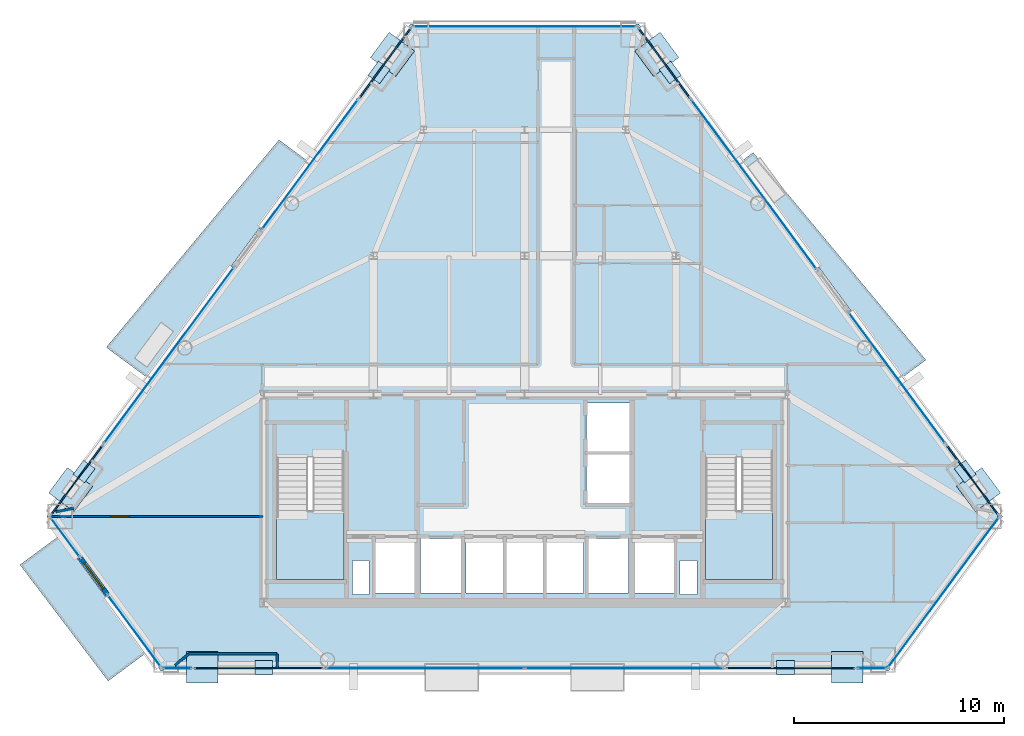
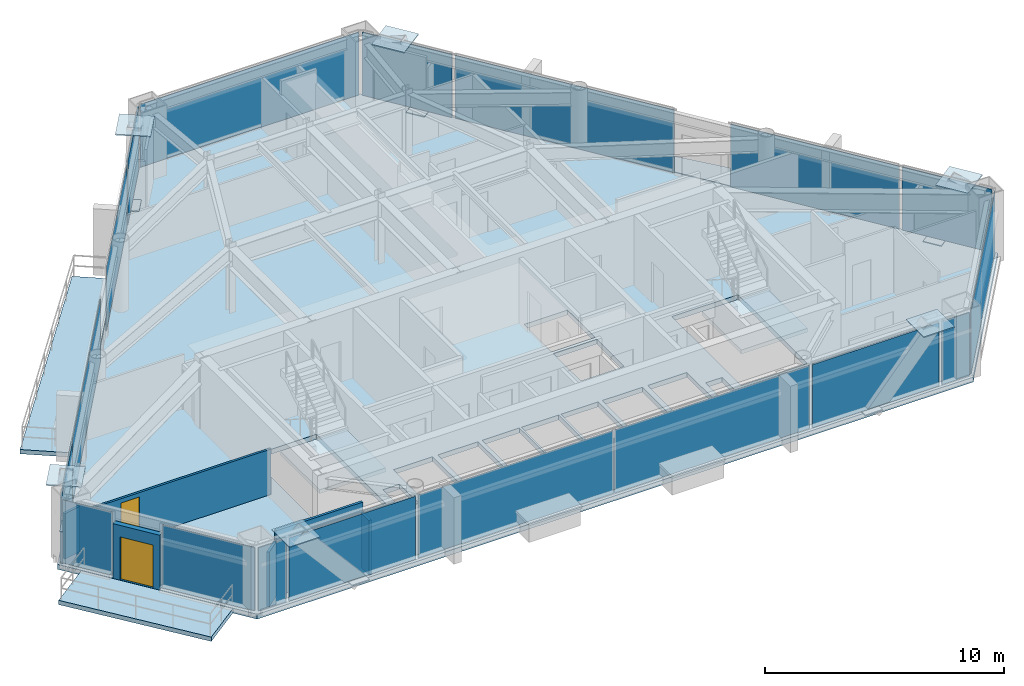
# One storey, part 6 of 11: 30 plates, 6 slabs, 6 walls, 2 doors, 2 openings, 19 elements without a shape of their own.
"""IFC4 building model written with IfcOpenShell, lengths in metres."""

from ifc_helpers import new_model, si_unit, direction, frame, frame_2d, origin, origin_2d, place, context, subcontext, project, spatial, polyline, rectangle, outline, extrude, source, transform, mapped, material, layer, layer_set, type_object, type_shapes, element, fill, aggregate, save


model = new_model("IFC4")

# Units and contexts
model_context = context("Model", 3, precision=1e-05, world=origin(), true_north=direction((0.0, 1.0)))
body_context = subcontext(model_context, "Body", "Model", "MODEL_VIEW")
ifc_project = project(units=[si_unit("LENGTHUNIT", "METRE"), si_unit("AREAUNIT", "SQUARE_METRE"), si_unit("VOLUMEUNIT", "CUBIC_METRE"), si_unit("PLANEANGLEUNIT", "RADIAN"), si_unit("MASSUNIT", "GRAM", prefix="KILO")], contexts=[model_context])

# Site, building, storey
site_placement = place(None, origin())
site = spatial("IfcSite", under=ifc_project, at=site_placement, CompositionType="ELEMENT")
building_placement = place(site_placement, origin())
building = spatial("IfcBuilding", under=site, at=building_placement, Name="Talgorran Terracotta Tower", CompositionType="ELEMENT")
storey_placement = place(building_placement, frame((0.0, 0.0, 129.300048828125)))
storey = spatial("IfcBuildingStorey", under=building, at=storey_placement, Name="L33", CompositionType="ELEMENT", Elevation=129.300048828125)

# Plates
ifc_material_1 = material(Name="Steel Grade 350 (350L0)", Category="steel")
ifc_layer_1 = layer(ifc_material_1, 0.035888671875, Name="PL_CAP_MN06")
ifc_layer_set_1 = layer_set([ifc_layer_1], Name="Steel Grade 350 (350L0)")
plate_type_1 = type_object("IfcPlateType", Name="PL_CAP_MN06", PredefinedType="USERDEFINED", material=ifc_layer_set_1)
for number, where, z_axis, x_axis, name in (
    (1, (-12.41162109375, -17.178955078125, -0.0078125), (0.0, 0.0, 1.0), (-1.0, 0.0, 0.0), "L33 Diagonal Frame End Cap SWF Bot"),
    (2, (12.41162109375, -17.178955078125, -0.0078125), (0.0, 0.0, 1.0), (1.0, 0.0, 0.0), "L33 Diagonal Frame End Cap SEF Bot"),
    (3, (20.96142578125, -7.85888671875, -0.0078125), (0.0, 0.0, 1.0), (0.594401806766, -0.804168198895, 0.0), "L33 Diagonal Frame End Cap NEL Bot"),
    (4, (6.925537109375, 11.13232421875, -0.0078125), (0.0, 0.0, 1.0), (-0.594401806766, 0.804168198895, 0.0), "L33 Diagonal Frame End Cap NEU Bot"),
    (5, (-6.925537109375, 11.13232421875, -0.0078125), (0.0, 0.0, 1.0), (0.594401806766, 0.804168198895, 0.0), "L33 Diagonal Frame End Cap NWU Bot"),
    (6, (-20.96142578125, -7.85888671875, -0.0078125), (0.0, 0.0, 1.0), (-0.594401806766, -0.804168198895, 0.0), "L33 Diagonal Frame End Cap NWL Bot"),
):
    element("IfcPlate", number, at=place(storey_placement, frame(where, z_axis=z_axis, x_axis=x_axis)), inside=storey, type_object=plate_type_1, Name=name, ObjectType="CAP PLATE", PredefinedType="USERDEFINED", context=body_context, shape_type="SweptSolid", body=[
        extrude(rectangle(XDim=0.840087890625, YDim=0.679931640625, at=origin_2d()), origin(), (0.0, 0.0, 1.0), 0.035888671875),
    ])
ifc_layer_2 = layer(ifc_material_1, 0.054931640625, Name="PL_NODE_MN02")
ifc_layer_set_2 = layer_set([ifc_layer_2], Name="Steel Grade 350 (350L0)")
plate_type_2 = type_object("IfcPlateType", Name="PL_NODE_MN02", PredefinedType="USERDEFINED", material=ifc_layer_set_2)
for number, where, z_axis, x_axis, name in (
    (7, (-15.34228515625, -17.178955078125, 3.3125), (0.0, 0.0, 1.0), (-1.0, 0.0, 0.0), "L33 Diagonal Frame End Cap SWF Top"),
    (8, (15.34228515625, -17.178955078125, 3.3125), (0.0, 0.0, 1.0), (1.0, 0.0, 0.0), "L33 Diagonal Frame End Cap SEF Top"),
    (9, (21.597900390625, -8.72021484375, 3.3125), (0.0, 0.0, 1.0), (0.594401806766, -0.804168198895, 0.0), "L33 Diagonal Frame End Cap NEL Top"),
    (10, (6.2890625, 11.993408203125, 3.3125), (0.0, 0.0, 1.0), (-0.594401806766, 0.804168198895, 0.0), "L33 Diagonal Frame End Cap NEU Top"),
    (11, (-6.2890625, 11.993408203125, 3.3125), (0.0, 0.0, 1.0), (0.594401806766, 0.804168198895, 0.0), "L33 Diagonal Frame End Cap NWU Top"),
    (12, (-21.597900390625, -8.72021484375, 3.3125), (0.0, 0.0, 1.0), (-0.594401806766, -0.804168198895, 0.0), "L33 Diagonal Frame End Cap NWL Top"),
):
    element("IfcPlate", number, at=place(storey_placement, frame(where, z_axis=z_axis, x_axis=x_axis)), inside=storey, type_object=plate_type_2, Name=name, ObjectType="NODE PLATE", PredefinedType="USERDEFINED", context=body_context, shape_type="SweptSolid", body=[
        extrude(rectangle(XDim=1.5, YDim=1.5, at=origin_2d()), origin(), (0.0, 0.0, 1.0), 0.054931640625),
    ])

# Slabs
ifc_material_2 = material(Name="Concrete C40/50", Category="concrete")
ifc_layer_3 = layer(ifc_material_2, 0.219970703125, Name="SL_BALCONY_220")
ifc_layer_set_3 = layer_set([ifc_layer_3], Name="Concrete C40/50")
slab_type_1 = type_object("IfcSlabType", Name="SL_BALCONY_220", PredefinedType="FLOOR", material=ifc_layer_set_3)
slab_1_placement = place(storey_placement, frame((0.0, 0.0, -0.219970703125)))
element("IfcSlab", 13, at=slab_1_placement, inside=storey, type_object=slab_type_1, Name="L33 Outdoor Wave Balcony BAL-NE", PredefinedType="FLOOR", context=body_context, shape_type="SweptSolid", body=[
    extrude(outline(polyline([(10.28515625, 6.881103515625), (17.905517578125, -3.4296875), (19.09130859375, -2.5537109375), (10.875244140625, 7.317138671875), (10.28515625, 6.881103515625)])), origin(), (0.0, 0.0, 1.0), 0.219970703125),
])
slab_2_placement = place(storey_placement, frame((0.0, 0.0, -0.219970703125)))
element("IfcSlab", 14, at=slab_2_placement, inside=storey, type_object=slab_type_1, Name="L33 Outdoor Wave Balcony BAL-NW", PredefinedType="FLOOR", context=body_context, shape_type="SweptSolid", body=[
    extrude(outline(polyline([(-17.905517578125, -3.4296875), (-10.28515625, 6.881103515625), (-11.689208984375, 7.918701171875), (-19.905029296875, -1.9521484375), (-17.905517578125, -3.4296875)])), origin(), (0.0, 0.0, 1.0), 0.219970703125),
])
slab_3_placement = place(storey_placement, frame((0.0, 0.0, -0.219970703125)))
element("IfcSlab", 15, at=slab_3_placement, inside=storey, type_object=slab_type_1, Name="L33 Outdoor Wave Balcony BAL-SW", PredefinedType="FLOOR", context=body_context, shape_type="SweptSolid", body=[
    extrude(outline(polyline([(-17.98193359375, -16.46728515625), (-22.10400390625, -10.889892578125), (-24.009765625, -12.298095703125), (-19.81640625, -17.822998046875), (-17.98193359375, -16.46728515625)])), origin(), (0.0, 0.0, 1.0), 0.219970703125),
])

# Stair, slab
stair_type = type_object("IfcStairType", Name="ST_FIRE_SCISSOR", PredefinedType="HALF_TURN_STAIR", material=ifc_material_2)
stair_1_placement = place(storey_placement, origin())
stair_1 = element("IfcStair", 16, at=stair_1_placement, inside=storey, type_object=stair_type, Name="L33 West Protected Fire Stair ST-01", PredefinedType="HALF_TURN_STAIR")
ifc_layer_4 = layer(ifc_material_2, 0.199951171875, Name="SL_LANDING_200")
ifc_layer_set_4 = layer_set([ifc_layer_4], Name="Concrete C40/50")
slab_type_2 = type_object("IfcSlabType", Name="SL_LANDING_200", PredefinedType="LANDING", material=ifc_layer_set_4)
slab_4_placement = place(storey_placement, frame((0.0, 0.0, 1.599853515625)))
slab_4 = element("IfcSlab", 17, at=slab_4_placement, type_object=slab_type_2, Name="ST-01 landing 1", PredefinedType="LANDING", context=body_context, shape_type="SweptSolid", body=[
    extrude(outline(polyline([(-11.800048828125, -9.719970703125), (-11.800048828125, -13.0), (-8.60009765625, -13.0), (-8.60009765625, -9.719970703125), (-11.800048828125, -9.719970703125)])), origin(), (0.0, 0.0, 1.0), 0.2001953125),
])
aggregate(stair_1, [slab_4])

stair_2_placement = place(storey_placement, origin())
stair_2 = element("IfcStair", 18, at=stair_2_placement, inside=storey, type_object=stair_type, Name="L33 East Protected Fire Stair ST-02", PredefinedType="HALF_TURN_STAIR")
slab_5_placement = place(storey_placement, frame((0.0, 0.0, 1.599853515625)))
slab_5 = element("IfcSlab", 19, at=slab_5_placement, type_object=slab_type_2, Name="ST-02 landing 1", PredefinedType="LANDING", context=body_context, shape_type="SweptSolid", body=[
    extrude(outline(polyline([(8.60009765625, -9.719970703125), (8.60009765625, -13.0), (11.800048828125, -13.0), (11.800048828125, -9.719970703125), (8.60009765625, -9.719970703125)])), origin(), (0.0, 0.0, 1.0), 0.2001953125),
])
aggregate(stair_2, [slab_5])

# Slab
ifc_layer_5 = layer(ifc_material_2, 0.25, Name="SL_TOWER_250")
ifc_layer_set_5 = layer_set([ifc_layer_5], Name="Concrete C40/50")
slab_type_3 = type_object("IfcSlabType", Name="SL_TOWER_250", PredefinedType="FLOOR", material=ifc_layer_set_5)
slab_6_placement = place(storey_placement, frame((0.0, 0.0, -0.25)))
element("IfcSlab", 20, at=slab_6_placement, inside=storey, type_object=slab_type_3, Name="Storey L33 Structural Floor Slab", PredefinedType="FLOOR", context=body_context, shape_type="SweptSolid", body=[
    extrude(outline(polyline([(-22.742919921875, -10.000244140625), (-17.319091796875, -17.3388671875), (17.319091796875, -17.3388671875), (22.742919921875, -10.000244140625), (5.423828125, 13.43359375), (-5.423828125, 13.43359375), (-22.742919921875, -10.000244140625)]), holes=[polyline([(-11.800048828125, -7.199951171875), (-11.800048828125, -13.0), (-8.60009765625, -13.0), (-8.60009765625, -7.199951171875), (-11.800048828125, -7.199951171875)]), polyline([(8.60009765625, -7.199951171875), (8.60009765625, -13.0), (11.800048828125, -13.0), (11.800048828125, -7.199951171875), (8.60009765625, -7.199951171875)]), polyline([(-7.10009765625, -13.64990234375), (-5.199951171875, -13.64990234375), (-5.199951171875, -11.050048828125), (-7.10009765625, -11.050048828125), (-7.10009765625, -13.64990234375)]), polyline([(5.199951171875, -13.64990234375), (7.10009765625, -13.64990234375), (7.10009765625, -11.050048828125), (5.199951171875, -11.050048828125), (5.199951171875, -13.64990234375)]), polyline([(3.0, -13.64990234375), (4.949951171875, -13.64990234375), (4.949951171875, -11.050048828125), (3.0, -11.050048828125), (3.0, -13.64990234375)]), polyline([(-4.949951171875, -13.64990234375), (-3.0, -13.64990234375), (-3.0, -11.050048828125), (-4.949951171875, -11.050048828125), (-4.949951171875, -13.64990234375)]), polyline([(2.949951171875, -9.35009765625), (5.050048828125, -9.35009765625), (5.050048828125, -7.050048828125), (2.949951171875, -7.050048828125), (2.949951171875, -9.35009765625)]), polyline([(2.949951171875, -6.89990234375), (5.050048828125, -6.89990234375), (5.050048828125, -4.60009765625), (2.949951171875, -4.60009765625), (2.949951171875, -6.89990234375)]), polyline([(-2.800048828125, -13.64990234375), (-1.0, -13.64990234375), (-1.0, -11.050048828125), (-2.800048828125, -11.050048828125), (-2.800048828125, -13.64990234375)]), polyline([(-0.89990234375, -13.64990234375), (0.89990234375, -13.64990234375), (0.89990234375, -11.050048828125), (-0.89990234375, -11.050048828125), (-0.89990234375, -13.64990234375)]), polyline([(1.0, -13.64990234375), (2.800048828125, -13.64990234375), (2.800048828125, -11.050048828125), (1.0, -11.050048828125), (1.0, -13.64990234375)]), polyline([(-8.199951171875, -13.699951171875), (-7.39990234375, -13.699951171875), (-7.39990234375, -12.10009765625), (-8.199951171875, -12.10009765625), (-8.199951171875, -13.699951171875)]), polyline([(7.39990234375, -13.699951171875), (8.199951171875, -13.699951171875), (8.199951171875, -12.10009765625), (7.39990234375, -12.10009765625), (7.39990234375, -13.699951171875)])]), origin(), (0.0, 0.0, 1.0), 0.25),
])

# Curtain wall, plate
ifc_material_3 = material(Name="Unitised Low-E Double Glazing", Category="glass")
ifc_layer_6 = layer(ifc_material_3, 0.199951171875, Name="CW_SYS2_RES_LOW")
ifc_layer_set_6 = layer_set([ifc_layer_6], Name="Unitised Low-E Double Glazing")
curtain_wall_type = type_object("IfcCurtainWallType", Name="CW_SYS2_RES_LOW", PredefinedType="NOTDEFINED", material=ifc_layer_set_6)
curtain_wall_1_placement = place(storey_placement, origin())
curtain_wall_1 = element("IfcCurtainWall", 21, at=curtain_wall_1_placement, inside=storey, type_object=curtain_wall_type, Name="CW-L33-F10", PredefinedType="NOTDEFINED")
ifc_material_4 = material(Name="Low-E Laminated Vision Glass", Category="glass")
ifc_layer_7 = layer(ifc_material_4, 0.028076171875, Name="PLT_VISION_28")
ifc_layer_set_7 = layer_set([ifc_layer_7], Name="Low-E Laminated Vision Glass")
plate_type_3 = type_object("IfcPlateType", Name="PLT_VISION_28", PredefinedType="CURTAIN_PANEL", material=ifc_layer_set_7)
shared_shape_1 = source(origin(), body_context, "Body", "SweptSolid", [
    extrude(rectangle(XDim=2.269287109375, YDim=0.028076171875, at=origin_2d()), origin(), (0.0, 0.0, 1.0), 3.219970703125),
])
plate_1_placement = place(storey_placement, frame((-21.85693359375, -10.9970703125, 0.06494140625), z_axis=(0.0, 0.0, 1.0), x_axis=(0.594350043169, -0.804206457438, 0.0)))
plate_1 = element("IfcPlate", 22, at=plate_1_placement, type_object=plate_type_3, Name="CW-L33-10 panel 1.1", PredefinedType="CURTAIN_PANEL", context=body_context, shape_type="MappedRepresentation", body=[
    mapped(shared_shape_1, transform((0.0, 0.0, 0.0), scale=1.0)),
])
aggregate(curtain_wall_1, [plate_1])

curtain_wall_2_placement = place(storey_placement, origin())
curtain_wall_2 = element("IfcCurtainWall", 23, at=curtain_wall_2_placement, inside=storey, type_object=curtain_wall_type, Name="CW-L33-F11", PredefinedType="NOTDEFINED")
shared_shape_2 = source(origin(), body_context, "Body", "SweptSolid", [
    extrude(rectangle(XDim=4.206787109375, YDim=0.028076171875, at=origin_2d()), origin(), (0.0, 0.0, 1.0), 3.219970703125),
])
plate_2_placement = place(storey_placement, frame((-18.5712890625, -15.44287109375, 0.06494140625), z_axis=(0.0, 0.0, 1.0), x_axis=(0.594366424253, -0.804194350714, 0.0)))
plate_2 = element("IfcPlate", 24, at=plate_2_placement, type_object=plate_type_3, Name="CW-L33-11 panel 1.1", PredefinedType="CURTAIN_PANEL", context=body_context, shape_type="MappedRepresentation", body=[
    mapped(shared_shape_2, transform((0.0, 0.0, 0.0), scale=1.0)),
])
aggregate(curtain_wall_2, [plate_2])

curtain_wall_3_placement = place(storey_placement, origin())
curtain_wall_3 = element("IfcCurtainWall", 25, at=curtain_wall_3_placement, inside=storey, type_object=curtain_wall_type, Name="CW-L33-F1", PredefinedType="NOTDEFINED")
shared_shape_3 = source(origin(), body_context, "Body", "SweptSolid", [
    extrude(rectangle(XDim=1.3359375, YDim=0.028076171875, at=origin_2d()), origin(), (0.0, 0.0, 1.0), 3.219970703125),
])
plate_3_placement = place(storey_placement, frame((-16.525634765625, -17.218994140625, 0.06494140625), z_axis=(0.0, 0.0, 1.0), x_axis=(1.0, 0.0, 0.0)))
plate_3 = element("IfcPlate", 26, at=plate_3_placement, type_object=plate_type_3, Name="CW-L33-1 panel 1.1", PredefinedType="CURTAIN_PANEL", context=body_context, shape_type="MappedRepresentation", body=[
    mapped(shared_shape_3, transform((0.0, 0.0, 0.0), scale=1.0)),
])
aggregate(curtain_wall_3, [plate_3])

curtain_wall_4_placement = place(storey_placement, origin())
curtain_wall_4 = element("IfcCurtainWall", 27, at=curtain_wall_4_placement, inside=storey, type_object=curtain_wall_type, Name="CW-L33-F1E", PredefinedType="NOTDEFINED")
plate_4_placement = place(storey_placement, frame((16.525634765625, -17.218994140625, 0.06494140625), z_axis=(0.0, 0.0, 1.0), x_axis=(1.0, 0.0, 0.0)))
plate_4 = element("IfcPlate", 28, at=plate_4_placement, type_object=plate_type_3, Name="CW-L33-1E panel 1.1", PredefinedType="CURTAIN_PANEL", context=body_context, shape_type="MappedRepresentation", body=[
    mapped(shared_shape_3, transform((0.0, 0.0, 0.0), scale=1.0)),
])
aggregate(curtain_wall_4, [plate_4])

curtain_wall_5_placement = place(storey_placement, origin())
curtain_wall_5 = element("IfcCurtainWall", 29, at=curtain_wall_5_placement, inside=storey, type_object=curtain_wall_type, Name="CW-L33-F1B", PredefinedType="NOTDEFINED")
ifc_material_5 = material(Name="Terracotta Insulated Spandrel", Category="masonry")
ifc_layer_8 = layer(ifc_material_5, 0.06494140625, Name="PLT_SPANDREL_TERRA")
ifc_layer_set_8 = layer_set([ifc_layer_8], Name="Terracotta Insulated Spandrel")
plate_type_4 = type_object("IfcPlateType", Name="PLT_SPANDREL_TERRA", PredefinedType="SHEET", material=ifc_layer_set_8)
shared_shape_4 = source(origin(), body_context, "Body", "SweptSolid", [
    extrude(rectangle(XDim=6.1171875, YDim=0.06494140625, at=origin_2d()), origin(), (0.0, 0.0, 1.0), 3.219970703125),
])
plate_5_placement = place(storey_placement, frame((-12.658935546875, -17.218994140625, 0.06494140625), z_axis=(0.0, 0.0, 1.0), x_axis=(1.0, 0.0, 0.0)))
plate_5 = element("IfcPlate", 30, at=plate_5_placement, type_object=plate_type_4, Name="CW-L33-1B panel 1.1", PredefinedType="CURTAIN_PANEL", context=body_context, shape_type="MappedRepresentation", body=[
    mapped(shared_shape_4, transform((0.0, 0.0, 0.0), scale=1.0)),
])
aggregate(curtain_wall_5, [plate_5])

curtain_wall_6_placement = place(storey_placement, origin())
curtain_wall_6 = element("IfcCurtainWall", 31, at=curtain_wall_6_placement, inside=storey, type_object=curtain_wall_type, Name="CW-L33-F1D", PredefinedType="NOTDEFINED")
plate_6_placement = place(storey_placement, frame((12.658935546875, -17.218994140625, 0.06494140625), z_axis=(0.0, 0.0, 1.0), x_axis=(1.0, 0.0, 0.0)))
plate_6 = element("IfcPlate", 32, at=plate_6_placement, type_object=plate_type_4, Name="CW-L33-1D panel 1.1", PredefinedType="CURTAIN_PANEL", context=body_context, shape_type="MappedRepresentation", body=[
    mapped(shared_shape_4, transform((0.0, 0.0, 0.0), scale=1.0)),
])
aggregate(curtain_wall_6, [plate_6])

# Curtain wall, plates
curtain_wall_7_placement = place(storey_placement, origin())
curtain_wall_7 = element("IfcCurtainWall", 33, at=curtain_wall_7_placement, inside=storey, type_object=curtain_wall_type, Name="CW-L33-F1C", PredefinedType="NOTDEFINED")
shared_shape_5 = source(origin(), body_context, "Body", "SweptSolid", [
    extrude(rectangle(XDim=9.427734375, YDim=0.028076171875, at=origin_2d()), origin(), (0.0, 0.0, 1.0), 3.219970703125),
])
plate_7_placement = place(storey_placement, frame((-4.746337890625, -17.218994140625, 0.06494140625), z_axis=(0.0, 0.0, 1.0), x_axis=(1.0, 0.0, 0.0)))
plate_7 = element("IfcPlate", 34, at=plate_7_placement, type_object=plate_type_3, Name="CW-L33-1C panel 1.1", PredefinedType="CURTAIN_PANEL", context=body_context, shape_type="MappedRepresentation", body=[
    mapped(shared_shape_5, transform((0.0, 0.0, 0.0), scale=1.0)),
])
plate_8_placement = place(storey_placement, frame((4.746337890625, -17.218994140625, 0.06494140625), z_axis=(0.0, 0.0, 1.0), x_axis=(1.0, 0.0, 0.0)))
plate_8 = element("IfcPlate", 35, at=plate_8_placement, type_object=plate_type_3, Name="CW-L33-1C panel 2.1", PredefinedType="CURTAIN_PANEL", context=body_context, shape_type="MappedRepresentation", body=[
    mapped(shared_shape_5, transform((0.0, 0.0, 0.0), scale=1.0)),
])
aggregate(curtain_wall_7, [plate_7, plate_8])

# Curtain wall, plate
curtain_wall_8_placement = place(storey_placement, origin())
curtain_wall_8 = element("IfcCurtainWall", 36, at=curtain_wall_8_placement, inside=storey, type_object=curtain_wall_type, Name="CW-L33-F2", PredefinedType="NOTDEFINED")
shared_shape_6 = source(origin(), body_context, "Body", "SweptSolid", [
    extrude(rectangle(XDim=8.84619140625, YDim=0.028076171875, at=origin_2d()), origin(), (0.0, 0.0, 1.0), 3.219970703125),
])
plate_9_placement = place(storey_placement, frame((19.92626953125, -13.609619140625, 0.06494140625), z_axis=(0.0, 0.0, 1.0), x_axis=(0.594357856926, 0.80420068261, 0.0)))
plate_9 = element("IfcPlate", 37, at=plate_9_placement, type_object=plate_type_3, Name="CW-L33-2 panel 1.1", PredefinedType="CURTAIN_PANEL", context=body_context, shape_type="MappedRepresentation", body=[
    mapped(shared_shape_6, transform((0.0, 0.0, 0.0), scale=1.0)),
])
aggregate(curtain_wall_8, [plate_9])

curtain_wall_9_placement = place(storey_placement, origin())
curtain_wall_9 = element("IfcCurtainWall", 38, at=curtain_wall_9_placement, inside=storey, type_object=curtain_wall_type, Name="CW-L33-F40", PredefinedType="NOTDEFINED")
shared_shape_7 = source(origin(), body_context, "Body", "SweptSolid", [
    extrude(rectangle(XDim=4.10986328125, YDim=0.06494140625, at=origin_2d()), origin(), (0.0, 0.0, 1.0), 3.219970703125),
])
plate_10_placement = place(storey_placement, frame((21.309814453125, -8.26318359375, 0.06494140625), z_axis=(0.0, 0.0, 1.0), x_axis=(-0.594358565446, 0.804200158966, 0.0)))
plate_10 = element("IfcPlate", 39, at=plate_10_placement, type_object=plate_type_4, Name="CW-L33-40 panel 1.1", PredefinedType="CURTAIN_PANEL", context=body_context, shape_type="MappedRepresentation", body=[
    mapped(shared_shape_7, transform((0.0, 0.0, 0.0), scale=1.0)),
])
aggregate(curtain_wall_9, [plate_10])

curtain_wall_10_placement = place(storey_placement, origin())
curtain_wall_10 = element("IfcCurtainWall", 40, at=curtain_wall_10_placement, inside=storey, type_object=curtain_wall_type, Name="CW-L33-F61B", PredefinedType="NOTDEFINED")
plate_11_placement = place(storey_placement, frame((-21.309814453125, -8.26318359375, 0.06494140625), z_axis=(0.0, 0.0, 1.0), x_axis=(-0.594358565446, -0.804200158966, 0.0)))
plate_11 = element("IfcPlate", 41, at=plate_11_placement, type_object=plate_type_4, Name="CW-L33-61B panel 1.1", PredefinedType="CURTAIN_PANEL", context=body_context, shape_type="MappedRepresentation", body=[
    mapped(shared_shape_7, transform((0.0, 0.0, 0.0), scale=1.0)),
])
aggregate(curtain_wall_10, [plate_11])

curtain_wall_11_placement = place(storey_placement, origin())
curtain_wall_11 = element("IfcCurtainWall", 42, at=curtain_wall_11_placement, inside=storey, type_object=curtain_wall_type, Name="CW-L33-F40B", PredefinedType="NOTDEFINED")
shared_shape_8 = source(origin(), body_context, "Body", "SweptSolid", [
    extrude(rectangle(XDim=7.69970703125, YDim=0.028076171875, at=origin_2d()), origin(), (0.0, 0.0, 1.0), 3.219970703125),
])
plate_12_placement = place(storey_placement, frame((17.717041015625, -3.40185546875, 0.06494140625), z_axis=(0.0, 0.0, 1.0), x_axis=(-0.5943594591, 0.804199498494, 0.0)))
plate_12 = element("IfcPlate", 43, at=plate_12_placement, type_object=plate_type_3, Name="CW-L33-40B panel 1.1", PredefinedType="CURTAIN_PANEL", context=body_context, shape_type="MappedRepresentation", body=[
    mapped(shared_shape_8, transform((0.0, 0.0, 0.0), scale=1.0)),
])
aggregate(curtain_wall_11, [plate_12])

curtain_wall_12_placement = place(storey_placement, origin())
curtain_wall_12 = element("IfcCurtainWall", 44, at=curtain_wall_12_placement, inside=storey, type_object=curtain_wall_type, Name="CW-L33-F41", PredefinedType="NOTDEFINED")
shared_shape_9 = source(origin(), body_context, "Body", "SweptSolid", [
    extrude(rectangle(XDim=9.999755859375, YDim=0.028076171875, at=origin_2d()), origin(), (0.0, 0.0, 1.0), 3.219970703125),
])
plate_13_placement = place(storey_placement, frame((10.917724609375, 5.798095703125, 0.06494140625), z_axis=(0.0, 0.0, 1.0), x_axis=(-0.594355808995, 0.804202196164, 0.0)))
plate_13 = element("IfcPlate", 45, at=plate_13_placement, type_object=plate_type_3, Name="CW-L33-41 panel 1.1", PredefinedType="CURTAIN_PANEL", context=body_context, shape_type="MappedRepresentation", body=[
    mapped(shared_shape_9, transform((0.0, 0.0, 0.0), scale=1.0)),
])
aggregate(curtain_wall_12, [plate_13])

curtain_wall_13_placement = place(storey_placement, origin())
curtain_wall_13 = element("IfcCurtainWall", 46, at=curtain_wall_13_placement, inside=storey, type_object=curtain_wall_type, Name="CW-L33-F41B", PredefinedType="NOTDEFINED")
shared_shape_10 = source(origin(), body_context, "Body", "SweptSolid", [
    extrude(rectangle(XDim=4.100341796875, YDim=0.06494140625, at=origin_2d()), origin(), (0.0, 0.0, 1.0), 3.219970703125),
])
type_shapes(plate_type_4, [shared_shape_4, shared_shape_7, shared_shape_10])
plate_14_placement = place(storey_placement, frame((6.644287109375, 11.580322265625, 0.06494140625), z_axis=(0.0, 0.0, 1.0), x_axis=(-0.594345863562, 0.804209546367, 0.0)))
plate_14 = element("IfcPlate", 47, at=plate_14_placement, type_object=plate_type_4, Name="CW-L33-41B panel 1.1", PredefinedType="CURTAIN_PANEL", context=body_context, shape_type="MappedRepresentation", body=[
    mapped(shared_shape_10, transform((0.0, 0.0, 0.0), scale=1.0)),
])
aggregate(curtain_wall_13, [plate_14])

curtain_wall_14_placement = place(storey_placement, origin())
curtain_wall_14 = element("IfcCurtainWall", 48, at=curtain_wall_14_placement, inside=storey, type_object=curtain_wall_type, Name="CW-L33-F60", PredefinedType="NOTDEFINED")
plate_15_placement = place(storey_placement, frame((-6.644287109375, 11.580322265625, 0.06494140625), z_axis=(0.0, 0.0, 1.0), x_axis=(-0.594361151593, -0.804198247621, 0.0)))
plate_15 = element("IfcPlate", 49, at=plate_15_placement, type_object=plate_type_4, Name="CW-L33-60 panel 1.1", PredefinedType="CURTAIN_PANEL", context=body_context, shape_type="MappedRepresentation", body=[
    mapped(shared_shape_10, transform((0.0, 0.0, 0.0), scale=1.0)),
])
aggregate(curtain_wall_14, [plate_15])

curtain_wall_15_placement = place(storey_placement, origin())
curtain_wall_15 = element("IfcCurtainWall", 50, at=curtain_wall_15_placement, inside=storey, type_object=curtain_wall_type, Name="CW-L33-F4", PredefinedType="NOTDEFINED")
shared_shape_11 = source(origin(), body_context, "Body", "SweptSolid", [
    extrude(rectangle(XDim=10.5966796875, YDim=0.028076171875, at=origin_2d()), origin(), (0.0, 0.0, 1.0), 3.219970703125),
])
plate_16_placement = place(storey_placement, frame((0.0, 13.3134765625, 0.06494140625), z_axis=(0.0, 0.0, 1.0), x_axis=(-1.0, 0.0, 0.0)))
plate_16 = element("IfcPlate", 51, at=plate_16_placement, type_object=plate_type_3, Name="CW-L33-4 panel 1.1", PredefinedType="CURTAIN_PANEL", context=body_context, shape_type="MappedRepresentation", body=[
    mapped(shared_shape_11, transform((0.0, 0.0, 0.0), scale=1.0)),
])
aggregate(curtain_wall_15, [plate_16])

curtain_wall_16_placement = place(storey_placement, origin())
curtain_wall_16 = element("IfcCurtainWall", 52, at=curtain_wall_16_placement, inside=storey, type_object=curtain_wall_type, Name="CW-L33-F60B", PredefinedType="NOTDEFINED")
shared_shape_12 = source(origin(), body_context, "Body", "SweptSolid", [
    extrude(rectangle(XDim=7.64111328125, YDim=0.028076171875, at=origin_2d()), origin(), (0.0, 0.0, 1.0), 3.219970703125),
])
plate_17_placement = place(storey_placement, frame((-10.216796875, 6.746337890625, 0.06494140625), z_axis=(0.0, 0.0, 1.0), x_axis=(-0.594364285737, -0.804195931251, 0.0)))
plate_17 = element("IfcPlate", 53, at=plate_17_placement, type_object=plate_type_3, Name="CW-L33-60B panel 1.1", PredefinedType="CURTAIN_PANEL", context=body_context, shape_type="MappedRepresentation", body=[
    mapped(shared_shape_12, transform((0.0, 0.0, 0.0), scale=1.0)),
])
aggregate(curtain_wall_16, [plate_17])

curtain_wall_17_placement = place(storey_placement, origin())
curtain_wall_17 = element("IfcCurtainWall", 54, at=curtain_wall_17_placement, inside=storey, type_object=curtain_wall_type, Name="CW-L33-F61", PredefinedType="NOTDEFINED")
shared_shape_13 = source(origin(), body_context, "Body", "SweptSolid", [
    extrude(rectangle(XDim=10.358642578125, YDim=0.028076171875, at=origin_2d()), origin(), (0.0, 0.0, 1.0), 3.219970703125),
])
type_shapes(plate_type_3, [shared_shape_1, shared_shape_2, shared_shape_3, shared_shape_5, shared_shape_6, shared_shape_8, shared_shape_9, shared_shape_11, shared_shape_12, shared_shape_13])
plate_18_placement = place(storey_placement, frame((-16.927001953125, -2.332763671875, 0.06494140625), z_axis=(0.0, 0.0, 1.0), x_axis=(-0.594360768076, -0.804198531068, 0.0)))
plate_18 = element("IfcPlate", 55, at=plate_18_placement, type_object=plate_type_3, Name="CW-L33-61 panel 1.1", PredefinedType="CURTAIN_PANEL", context=body_context, shape_type="MappedRepresentation", body=[
    mapped(shared_shape_13, transform((0.0, 0.0, 0.0), scale=1.0)),
])
aggregate(curtain_wall_17, [plate_18])

# Wall, opening, door
ifc_layer_9 = layer(ifc_material_2, 0.239990234375, Name="WT_BALCONY_SPAND")
ifc_layer_set_9 = layer_set([ifc_layer_9], Name="Concrete C40/50")
wall_type_1 = type_object("IfcWallType", Name="WT_BALCONY_SPAND", PredefinedType="STANDARD", material=ifc_layer_set_9)
wall_1_placement = place(storey_placement, frame((-21.137939453125, -11.969970703125, -0.01513671875), z_axis=(0.0, 0.0, 1.0), x_axis=(0.594381437757, -0.804183254271, 0.0)))
wall_1 = element("IfcWall", 56, at=wall_1_placement, inside=storey, type_object=wall_type_1, Name="WL-L33-BALP-BAL-SW", PredefinedType="STANDARD", context=body_context, shape_type="SweptSolid", body=[
    extrude(rectangle(XDim=2.139892578125, YDim=0.239990234375, at=frame_2d((1.06982421875, 0.0))), origin(), (0.0, 0.0, 1.0), 2.80712890625),
])
opening_1_placement = place(wall_1_placement, frame((0.320068359375, 0.0, 0.014892578125)))
opening_1 = element("IfcOpeningElement", 57, at=opening_1_placement, cuts=wall_1, Name="Opening D-BAL-L33-3", PredefinedType="OPENING", context=body_context, shape_type="SweptSolid", body=[
    extrude(rectangle(XDim=1.506, YDim=2.203951171875, at=frame_2d((0.75, 1.10205078125))), frame((0.0, 0.1298828125, 0.0), z_axis=(0.0, -1.0, 0.0), x_axis=(1.0, 0.0, 0.0)), (0.0, 0.0, 1.0), 0.260009765625),
])
ifc_material_6 = material(Name="Thermally Broken Aluminium", Category="aluminium")
door_type_1 = type_object("IfcDoorType", Name="DT_BALC_1500", OperationType="SLIDING_TO_RIGHT", PredefinedType="DOOR", material=ifc_material_6)
door_1_placement = place(opening_1_placement, origin())
door_1 = element("IfcDoor", 58, at=door_1_placement, inside=storey, type_object=door_type_1, Name="DR-L33-BAL-BAL-SW", OperationType="SLIDING_TO_RIGHT", OverallHeight=2.199951171875, OverallWidth=1.5, PredefinedType="DOOR", context=body_context, shape_type="SweptSolid", body=[
    extrude(rectangle(XDim=1.5, YDim=2.199951171875, at=frame_2d((0.75, 1.10009765625))), frame((0.0, 0.02490234375, 0.0), z_axis=(0.0, -1.0, 0.0), x_axis=(1.0, 0.0, 0.0)), (0.0, 0.0, 1.0), 0.050048828125),
])
fill(opening_1, door_1)

ifc_material_7 = material(Name="Lightweight Steel Stud Partition", Category="steel")
ifc_layer_10 = layer(ifc_material_7, 0.10498046875, Name="WT_PART_110")
ifc_layer_set_10 = layer_set([ifc_layer_10], Name="Lightweight Steel Stud Partition")
wall_type_2 = type_object("IfcWallType", Name="WT_PART_110", PredefinedType="PARTITIONING", material=ifc_layer_set_10)
wall_2_placement = place(storey_placement, frame((-22.593505859375, -10.0, 0.0), z_axis=(0.0, 0.0, 1.0), x_axis=(1.0, 0.0, 0.0)))
wall_2 = element("IfcWall", 59, at=wall_2_placement, inside=storey, type_object=wall_type_2, Name="WL-L33-W-L33-R34", PredefinedType="PARTITIONING", context=body_context, shape_type="SweptSolid", body=[
    extrude(rectangle(XDim=10.153564453125, YDim=0.10498046875, at=frame_2d((5.07666015625, 0.0))), origin(), (0.0, 0.0, 1.0), 2.324951171875),
])
opening_2_placement = place(wall_2_placement, frame((2.89794921875, 0.0, 0.0)))
opening_2 = element("IfcOpeningElement", 60, at=opening_2_placement, cuts=wall_2, Name="Opening DR-L33-R14", PredefinedType="OPENING", context=body_context, shape_type="SweptSolid", body=[
    extrude(rectangle(XDim=0.8858828125, YDim=2.10409765625, at=frame_2d((0.43994140625, 1.052001953125))), frame((0.0, 0.0625, 0.0), z_axis=(0.0, -1.0, 0.0), x_axis=(1.0, 0.0, 0.0)), (0.0, 0.0, 1.0), 0.125),
])
ifc_material_8 = material(Name="Solid-Core Painted Timber", Category="wood")
door_type_2 = type_object("IfcDoorType", Name="DT_INT_880", OperationType="NOTDEFINED", PredefinedType="DOOR", material=ifc_material_8)
door_2_placement = place(opening_2_placement, origin())
door_2 = element("IfcDoor", 61, at=door_2_placement, inside=storey, type_object=door_type_2, Name="DR-L33-R14", OperationType="SINGLE_SWING_RIGHT", OverallHeight=2.10009765625, OverallWidth=0.8798828125, PredefinedType="DOOR", context=body_context, shape_type="SweptSolid", body=[
    extrude(rectangle(XDim=0.8798828125, YDim=2.10009765625, at=frame_2d((0.43994140625, 1.050048828125))), frame((0.0, 0.02490234375, 0.0), z_axis=(0.0, -1.0, 0.0), x_axis=(1.0, 0.0, 0.0)), (0.0, 0.0, 1.0), 0.050048828125),
])
fill(opening_2, door_2)

# Walls
ifc_material_9 = material(Name="Insulated Steel Stud Plasterboard", Category="steel")
ifc_layer_11 = layer(ifc_material_9, 0.1201171875, Name="WT_PART_120")
ifc_layer_set_11 = layer_set([ifc_layer_11], Name="Insulated Steel Stud Plasterboard")
wall_type_3 = type_object("IfcWallType", Name="WT_PART_120", PredefinedType="PARTITIONING", material=ifc_layer_set_11)
wall_3_placement = place(storey_placement, frame((-15.982177734375, -16.538818359375, 0.0), z_axis=(0.0, 0.0, 1.0), x_axis=(1.0, 0.0, 0.0)))
element("IfcWall", 62, at=wall_3_placement, inside=storey, type_object=wall_type_3, Name="WL-L33-BW-L33-01", PredefinedType="PARTITIONING", context=body_context, shape_type="SweptSolid", body=[
    extrude(rectangle(XDim=4.210693359375, YDim=0.1201171875, at=frame_2d((2.10546875, 0.0))), origin(), (0.0, 0.0, 1.0), 3.349853515625),
])
wall_4_placement = place(storey_placement, frame((-16.64111328125, -17.07958984375, 0.0), z_axis=(0.0, 0.0, 1.0), x_axis=(0.77301214671, 0.634391220809, 0.0)))
element("IfcWall", 63, at=wall_4_placement, inside=storey, type_object=wall_type_3, Name="WL-L33-BW-L33-03", PredefinedType="PARTITIONING", context=body_context, shape_type="SweptSolid", body=[
    extrude(rectangle(XDim=0.8525390625, YDim=0.1201171875, at=frame_2d((0.42626953125, 0.0))), origin(), (0.0, 0.0, 1.0), 2.7919921875),
])
wall_5_placement = place(storey_placement, frame((-21.463623046875, -9.615234375, 0.0), z_axis=(0.0, 0.0, 1.0), x_axis=(-0.982663626831, -0.185397401557, 0.0)))
element("IfcWall", 64, at=wall_5_placement, inside=storey, type_object=wall_type_3, Name="WL-L33-BW-L33-09", PredefinedType="PARTITIONING", context=body_context, shape_type="SweptSolid", body=[
    extrude(rectangle(XDim=0.8505859375, YDim=0.1201171875, at=frame_2d((0.42529296875, 0.0))), origin(), (0.0, 0.0, 1.0), 2.324951171875),
])
wall_6_placement = place(storey_placement, frame((-11.771484375, -16.538818359375, 0.0), z_axis=(0.0, 0.0, 1.0), x_axis=(0.0, -1.0, 0.0)))
element("IfcWall", 65, at=wall_6_placement, inside=storey, type_object=wall_type_3, Name="WL-L33-BW-L33-02", PredefinedType="PARTITIONING", context=body_context, shape_type="SweptSolid", body=[
    extrude(rectangle(XDim=0.670166015625, YDim=0.1201171875, at=frame_2d((0.3349609375, 0.0))), origin(), (0.0, 0.0, 1.0), 2.7919921875),
])

save(model, "model.ifc")
